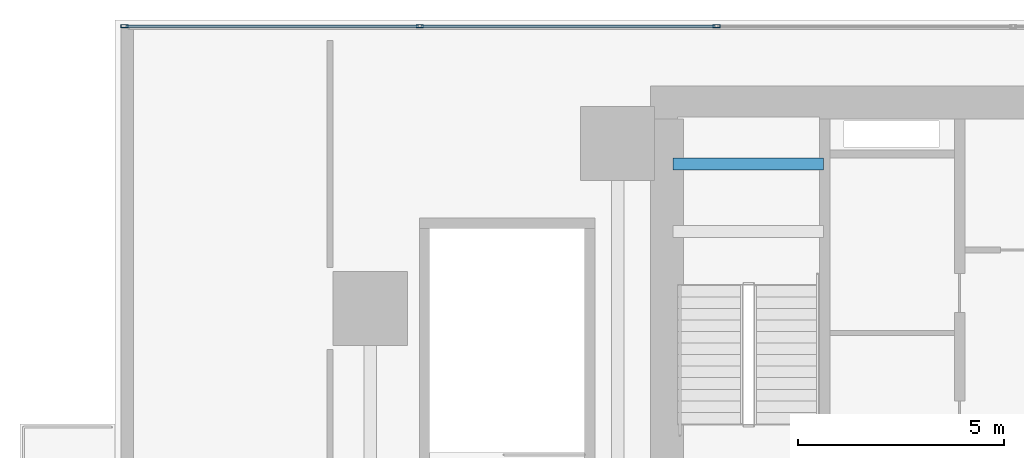
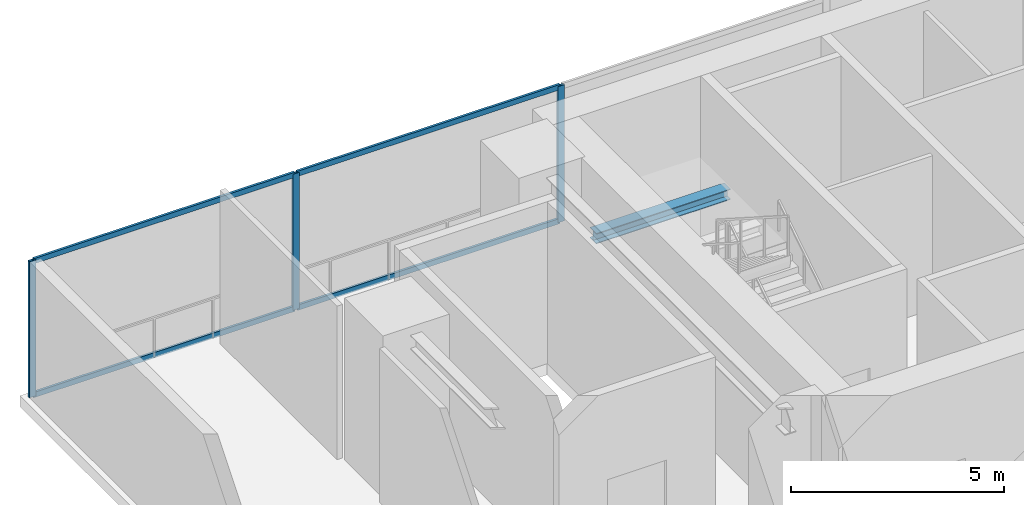
# One storey, part 3 of 15: 7 members, 1 beam, 1 element without a shape of its own.
"""IFC4 building model written with IfcOpenShell, lengths in metres."""

from ifc_helpers import new_model, si_unit, direction, frame, origin, origin_2d, place, context, subcontext, project, spatial, hollow_rectangle, i_section, extrude, source, transform, mapped, material, layer, layer_set, material_profile, profile_set, type_object, element, aggregate, save


model = new_model("IFC4")

# Units and contexts
model_context = context("Model", 3, precision=1e-05, world=origin(), true_north=direction((0.0, 1.0)))
body_context = subcontext(model_context, "Body", "Model", "MODEL_VIEW")
ifc_project = project(units=[si_unit("LENGTHUNIT", "METRE"), si_unit("AREAUNIT", "SQUARE_METRE"), si_unit("VOLUMEUNIT", "CUBIC_METRE"), si_unit("PLANEANGLEUNIT", "RADIAN"), si_unit("MASSUNIT", "GRAM", prefix="KILO")], contexts=[model_context])

# Site, building, storey
site_placement = place(None, origin())
site = spatial("IfcSite", under=ifc_project, at=site_placement, CompositionType="ELEMENT")
building_placement = place(site_placement, origin())
building = spatial("IfcBuilding", under=site, at=building_placement, Name="Sumidabori Civic Tower", CompositionType="ELEMENT")
storey_placement = place(building_placement, frame((0.0, 0.0, 18.949951171875)))
storey = spatial("IfcBuildingStorey", under=building, at=storey_placement, Name="L04", CompositionType="ELEMENT", Elevation=18.949951171875)

# Beam
ifc_material_1 = material(Name="Steel SN490", Category="steel")
ifc_material_profile_1 = material_profile(ifc_material_1, i_section(OverallWidth=0.300048828125, OverallDepth=0.300048828125, WebThickness=0.010986328125, FlangeThickness=0.01904296875, at=origin_2d()), Name="HE 300 B")
ifc_profile_set_1 = profile_set([ifc_material_profile_1], Name="Steel SN490")
beam_type = type_object("IfcBeamType", Name="BM-LDG-300", PredefinedType="BEAM", material=ifc_profile_set_1)
shared_shape_1 = source(origin(), body_context, "Body", "SweptSolid", [
    extrude(i_section(OverallWidth=0.300048828125, OverallDepth=0.300048828125, WebThickness=0.010986328125, FlangeThickness=0.01904296875, at=origin_2d()), origin(), (0.0, 0.0, 1.0), 3.64990234375),
])
beam_placement = place(storey_placement, frame((-15.449951171875, 22.3046875, 1.97509765625), z_axis=(1.0, 0.0, 0.0), x_axis=(0.0, 1.0, 0.0)))
element("IfcBeam", 1, at=beam_placement, inside=storey, type_object=beam_type, Name="Stair ST-1 Landing Trimmer Beam L04-1B", PredefinedType="BEAM", context=body_context, shape_type="MappedRepresentation", body=[
    mapped(shared_shape_1, transform((0.0, 0.0, 0.0), x_axis=(1.0, 0.0, 0.0), y_axis=(0.0, 1.0, 0.0), z_axis=(0.0, 0.0, 1.0), scale=1.0)),
])

# Curtain wall, members
ifc_material_2 = material(Name="Anodised Bronze Aluminium AW-6063-T6", Category="aluminium")
ifc_layer = layer(ifc_material_2, 0.179931640625, Name="Anodised Bronze Aluminium AW-6063-T6")
ifc_layer_set = layer_set([ifc_layer], Name="Anodised Bronze Aluminium AW-6063-T6")
curtain_wall_type = type_object("IfcCurtainWallType", Name="CW-SYS-1", PredefinedType="NOTDEFINED", material=ifc_layer_set)
curtain_wall_placement = place(storey_placement, origin())
curtain_wall = element("IfcCurtainWall", 2, at=curtain_wall_placement, inside=storey, type_object=curtain_wall_type, Name="Curtain Wall CW:L04:NORTH", PredefinedType="NOTDEFINED")
ifc_material_profile_2 = material_profile(ifc_material_2, hollow_rectangle(XDim=0.070068359375, YDim=0.179931640625, WallThickness=0.006103515625, at=origin_2d()), Name="ALU MULLION 180x70")
ifc_profile_set_2 = profile_set([ifc_material_profile_2], Name="Anodised Bronze Aluminium AW-6063-T6")
member_type_1 = type_object("IfcMemberType", Name="CW-MUL-180", PredefinedType="MULLION", material=ifc_profile_set_2)
shared_shape_2 = source(origin(), body_context, "Body", "SweptSolid", [
    extrude(hollow_rectangle(XDim=0.070068359375, YDim=0.179931640625, WallThickness=0.006103515625, at=origin_2d()), origin(), (0.0, 0.0, 1.0), 3.91015625),
])
member_1_placement = place(storey_placement, frame((-28.764892578125, 25.64990234375, 0.0), z_axis=(0.0, 0.0, 1.0), x_axis=(0.0, 1.0, 0.0)))
member_1 = element("IfcMember", 3, at=member_1_placement, type_object=member_type_1, Name="CW-1 mullion 1", PredefinedType="MULLION", context=body_context, shape_type="MappedRepresentation", body=[
    mapped(shared_shape_2, transform((0.0, 0.0, 0.0), x_axis=(1.0, 0.0, 0.0), y_axis=(0.0, 1.0, 0.0), z_axis=(0.0, 0.0, 1.0), scale=1.0)),
])
member_2_placement = place(storey_placement, frame((-21.60009765625, 25.64990234375, 0.0), z_axis=(0.0, 0.0, 1.0), x_axis=(0.0, 1.0, 0.0)))
member_2 = element("IfcMember", 4, at=member_2_placement, type_object=member_type_1, Name="CW-1 mullion 2", PredefinedType="MULLION", context=body_context, shape_type="MappedRepresentation", body=[
    mapped(shared_shape_2, transform((0.0, 0.0, 0.0), x_axis=(1.0, 0.0, 0.0), y_axis=(0.0, 1.0, 0.0), z_axis=(0.0, 0.0, 1.0), scale=1.0)),
])
member_3_placement = place(storey_placement, frame((-14.39990234375, 25.64990234375, 0.0), z_axis=(0.0, 0.0, 1.0), x_axis=(0.0, 1.0, 0.0)))
member_3 = element("IfcMember", 5, at=member_3_placement, type_object=member_type_1, Name="CW-1 mullion 3", PredefinedType="MULLION", context=body_context, shape_type="MappedRepresentation", body=[
    mapped(shared_shape_2, transform((0.0, 0.0, 0.0), x_axis=(1.0, 0.0, 0.0), y_axis=(0.0, 1.0, 0.0), z_axis=(0.0, 0.0, 1.0), scale=1.0)),
])
ifc_material_profile_3 = material_profile(ifc_material_2, hollow_rectangle(XDim=0.06494140625, YDim=0.14990234375, WallThickness=0.0048828125, at=origin_2d()), Name="ALU TRANSOM 150x65")
ifc_profile_set_3 = profile_set([ifc_material_profile_3], Name="Anodised Bronze Aluminium AW-6063-T6")
member_type_2 = type_object("IfcMemberType", Name="CW-TRN-150", PredefinedType="USERDEFINED", material=ifc_profile_set_3)
shared_shape_3 = source(origin(), body_context, "Body", "SweptSolid", [
    extrude(hollow_rectangle(XDim=0.06494140625, YDim=0.14990234375, WallThickness=0.0048828125, at=origin_2d()), origin(), (0.0, 0.0, 1.0), 7.094970703125),
])
member_4_placement = place(storey_placement, frame((-28.72998046875, 25.64990234375, 0.032470703125), z_axis=(1.0, 0.0, 0.0), x_axis=(0.0, 1.0, 0.0)))
member_4 = element("IfcMember", 6, at=member_4_placement, type_object=member_type_2, Name="CW-1 transom 1.1", ObjectType="TRANSOM", PredefinedType="USERDEFINED", context=body_context, shape_type="MappedRepresentation", body=[
    mapped(shared_shape_3, transform((0.0, 0.0, 0.0), x_axis=(1.0, 0.0, 0.0), y_axis=(0.0, 1.0, 0.0), z_axis=(0.0, 0.0, 1.0), scale=1.0)),
])
member_5_placement = place(storey_placement, frame((-28.72998046875, 25.64990234375, 3.87744140625), z_axis=(1.0, 0.0, 0.0), x_axis=(0.0, 1.0, 0.0)))
member_5 = element("IfcMember", 7, at=member_5_placement, type_object=member_type_2, Name="CW-1 transom 1.2", ObjectType="TRANSOM", PredefinedType="USERDEFINED", context=body_context, shape_type="MappedRepresentation", body=[
    mapped(shared_shape_3, transform((0.0, 0.0, 0.0), x_axis=(1.0, 0.0, 0.0), y_axis=(0.0, 1.0, 0.0), z_axis=(0.0, 0.0, 1.0), scale=1.0)),
])
shared_shape_4 = source(origin(), body_context, "Body", "SweptSolid", [
    extrude(hollow_rectangle(XDim=0.06494140625, YDim=0.14990234375, WallThickness=0.0048828125, at=origin_2d()), origin(), (0.0, 0.0, 1.0), 7.1298828125),
])
member_6_placement = place(storey_placement, frame((-21.56494140625, 25.64990234375, 0.032470703125), z_axis=(1.0, 0.0, 0.0), x_axis=(0.0, 1.0, 0.0)))
member_6 = element("IfcMember", 8, at=member_6_placement, type_object=member_type_2, Name="CW-1 transom 2.1", ObjectType="TRANSOM", PredefinedType="USERDEFINED", context=body_context, shape_type="MappedRepresentation", body=[
    mapped(shared_shape_4, transform((0.0, 0.0, 0.0), x_axis=(1.0, 0.0, 0.0), y_axis=(0.0, 1.0, 0.0), z_axis=(0.0, 0.0, 1.0), scale=1.0)),
])
member_7_placement = place(storey_placement, frame((-21.56494140625, 25.64990234375, 3.87744140625), z_axis=(1.0, 0.0, 0.0), x_axis=(0.0, 1.0, 0.0)))
member_7 = element("IfcMember", 9, at=member_7_placement, type_object=member_type_2, Name="CW-1 transom 2.2", ObjectType="TRANSOM", PredefinedType="USERDEFINED", context=body_context, shape_type="MappedRepresentation", body=[
    mapped(shared_shape_4, transform((0.0, 0.0, 0.0), x_axis=(1.0, 0.0, 0.0), y_axis=(0.0, 1.0, 0.0), z_axis=(0.0, 0.0, 1.0), scale=1.0)),
])
aggregate(curtain_wall, [member_1, member_2, member_3, member_4, member_5, member_6, member_7])

save(model, "model.ifc")
